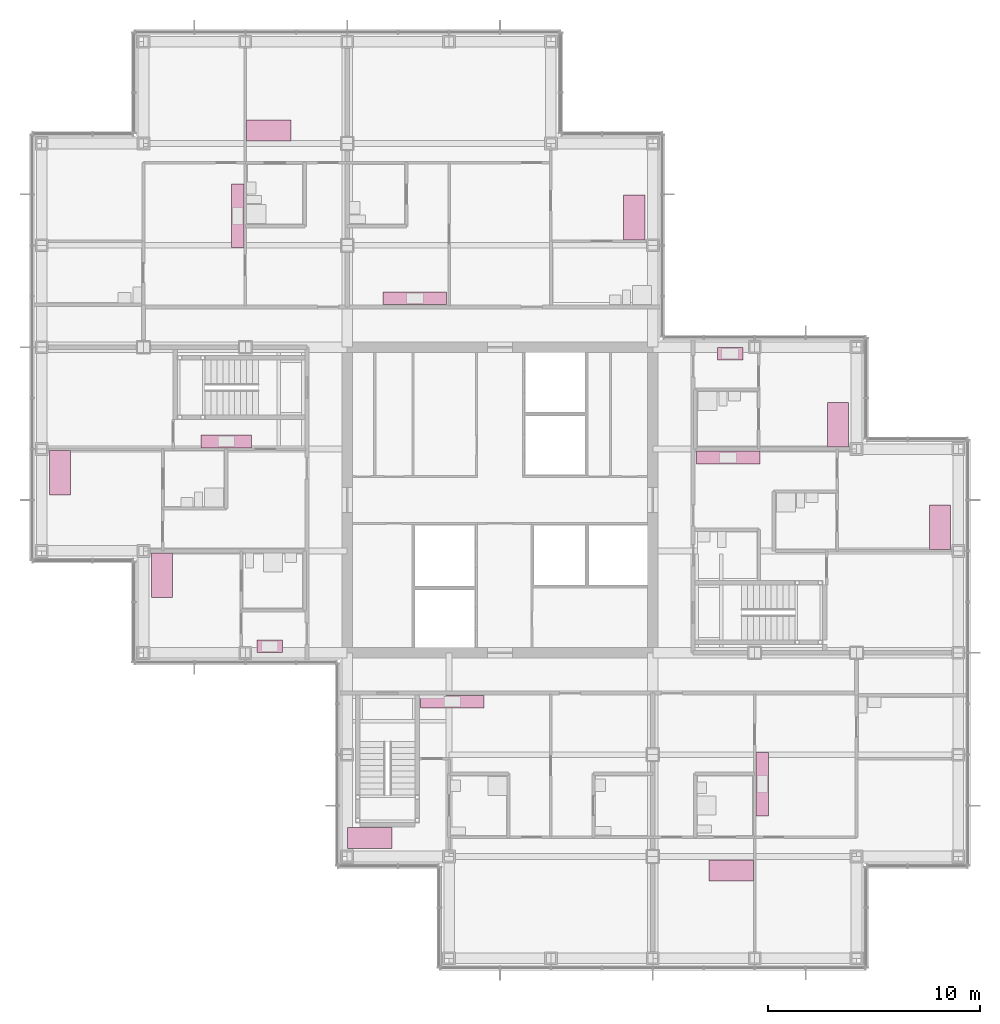
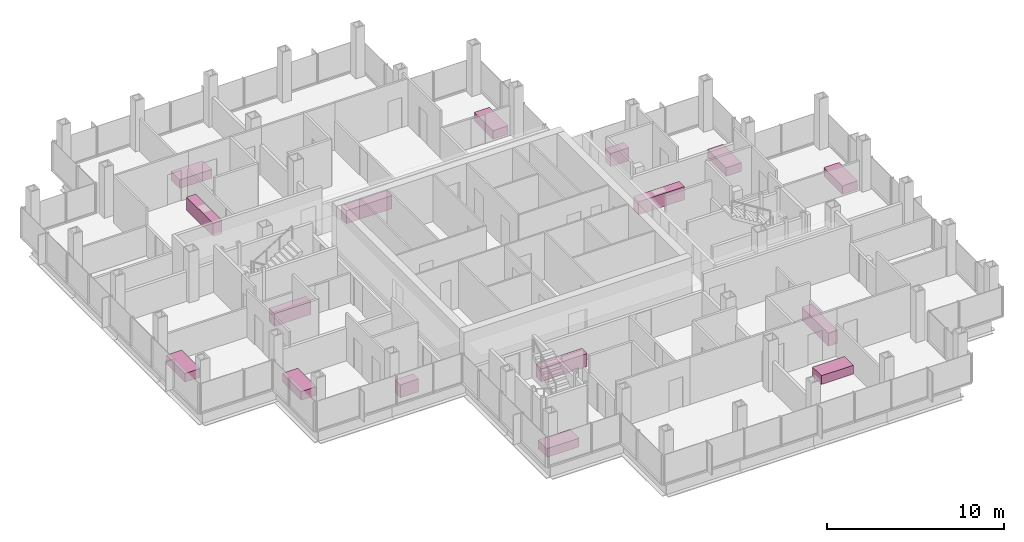
# One storey, part 20 of 20: 16 furniture elements.
"""IFC4 building model written with IfcOpenShell, lengths in metres."""

from ifc_helpers import new_model, si_unit, direction, frame, origin, origin_2d, place, context, subcontext, project, spatial, rectangle, extrude, material, type_object, element, save


model = new_model("IFC4")

# Units and contexts
model_context = context("Model", 3, precision=1e-05, world=origin(), true_north=direction((0.0, 1.0)))
body_context = subcontext(model_context, "Body", "Model", "MODEL_VIEW")
ifc_project = project(units=[si_unit("LENGTHUNIT", "METRE"), si_unit("AREAUNIT", "SQUARE_METRE"), si_unit("VOLUMEUNIT", "CUBIC_METRE"), si_unit("PLANEANGLEUNIT", "RADIAN"), si_unit("MASSUNIT", "GRAM", prefix="KILO")], contexts=[model_context])

# Site, building, storey
site_placement = place(None, origin())
site = spatial("IfcSite", under=ifc_project, at=site_placement, CompositionType="ELEMENT")
building_placement = place(site_placement, origin())
building = spatial("IfcBuilding", under=site, at=building_placement, Name="Kvirike Care Tower", CompositionType="ELEMENT")
storey_placement = place(building_placement, frame((0.0, 0.0, 133.0)))
storey = spatial("IfcBuildingStorey", under=building, at=storey_placement, Name="L36", CompositionType="ELEMENT", Elevation=133.0)

# Furniture
ifc_material_1 = material(Name="Steel frame", Category="steel")
furniture_type_1 = type_object("IfcFurnitureType", Name="CARE BED 1000 x 2100", AssemblyPlace="FACTORY", PredefinedType="BED", material=ifc_material_1)
for number, where, z_axis, x_axis, name in (
    (1, (0.8701171875, 37.2880859375, 0.0), (0.0, 0.0, 1.0), (1.0, 0.0, 0.0), "Care bed L36-004"),
    (2, (5.669921875, 32.447998046875, 0.0), (0.0, 0.0, 1.0), (1.0, 0.0, 0.0), "Care bed L36-008"),
    (3, (10.7119140625, 53.409912109375, 0.0), (0.0, 0.0, 1.0), (0.0, 1.0, 0.0), "Care bed L36-012"),
    (4, (15.451904296875, 20.070068359375, 0.0), (0.0, 0.0, 1.0), (0.0, 1.0, 0.0), "Care bed L36-020"),
    (5, (27.929931640625, 49.31201171875, 0.0), (0.0, 0.0, 1.0), (-1.0, 0.0, 0.0), "Care bed L36-027"),
    (6, (32.488037109375, 18.5400390625, 0.0), (0.0, 0.0, 1.0), (0.0, -1.0, 0.0), "Care bed L36-034"),
    (7, (42.330078125, 34.7119140625, 0.0), (0.0, 0.0, 1.0), (-1.0, 0.0, 0.0), "Care bed L36-043"),
    (8, (37.530029296875, 39.552001953125, 0.0), (0.0, 0.0, 1.0), (-1.0, 0.0, 0.0), "Care bed L36-047"),
):
    element("IfcFurniture", number, at=place(storey_placement, frame(where, z_axis=z_axis, x_axis=x_axis)), inside=storey, type_object=furniture_type_1, Name=name, PredefinedType="BED", context=body_context, shape_type="SweptSolid", body=[
        extrude(rectangle(XDim=1.0, YDim=2.10009765625, at=origin_2d()), origin(), (0.0, 0.0, 1.0), 0.60009765625),
    ])
ifc_material_2 = material(Name="Laminated board", Category="wood")
furniture_type_2 = type_object("IfcFurnitureType", Name="KITCHEN UNIT RUN 600", AssemblyPlace="FACTORY", PredefinedType="USERDEFINED", material=ifc_material_2)
furniture_1_placement = place(storey_placement, frame((8.699951171875, 38.761962890625, 0.0), z_axis=(0.0, 0.0, 1.0), x_axis=(-1.0, 0.0, 0.0)))
element("IfcFurniture", 9, at=furniture_1_placement, inside=storey, type_object=furniture_type_2, Name="Kitchen unit run L36-006", ObjectType="KITCHEN UNIT", PredefinedType="USERDEFINED", context=body_context, shape_type="SweptSolid", body=[
    extrude(rectangle(XDim=2.39990234375, YDim=0.60009765625, at=origin_2d()), origin(), (0.0, 0.0, 1.0), 0.89990234375),
])
furniture_2_placement = place(storey_placement, frame((10.75, 29.10205078125, 0.0), z_axis=(0.0, 0.0, 1.0), x_axis=(-1.0, 0.0, 0.0)))
element("IfcFurniture", 10, at=furniture_2_placement, inside=storey, type_object=furniture_type_2, Name="Kitchen unit run L36-010", ObjectType="KITCHEN UNIT", PredefinedType="USERDEFINED", context=body_context, shape_type="SweptSolid", body=[
    extrude(rectangle(XDim=1.199951171875, YDim=0.60009765625, at=origin_2d()), origin(), (0.0, 0.0, 1.0), 0.89990234375),
])
for number, where, z_axis, x_axis, name in (
    (11, (9.238037109375, 49.389892578125, 0.0), (0.0, 0.0, 1.0), (0.0, -1.0, 0.0), "Kitchen unit run L36-017"),
    (12, (19.35009765625, 26.498046875, 0.0), (0.0, 0.0, 1.0), (1.0, 0.0, 0.0), "Kitchen unit run L36-024"),
    (13, (17.590087890625, 45.501953125, 0.0), (0.0, 0.0, 1.0), (-1.0, 0.0, 0.0), "Kitchen unit run L36-032"),
    (14, (33.9619140625, 22.610107421875, 0.0), (0.0, 0.0, 1.0), (0.0, 1.0, 0.0), "Kitchen unit run L36-039"),
    (15, (32.35009765625, 37.998046875, 0.0), (0.0, 0.0, 1.0), (1.0, 0.0, 0.0), "Kitchen unit run L36-046"),
):
    element("IfcFurniture", number, at=place(storey_placement, frame(where, z_axis=z_axis, x_axis=x_axis)), inside=storey, type_object=furniture_type_2, Name=name, ObjectType="KITCHEN UNIT", PredefinedType="USERDEFINED", context=body_context, shape_type="SweptSolid", body=[
        extrude(rectangle(XDim=3.0, YDim=0.60009765625, at=origin_2d()), origin(), (0.0, 0.0, 1.0), 0.89990234375),
    ])
furniture_3_placement = place(storey_placement, frame((32.449951171875, 42.89794921875, 0.0), z_axis=(0.0, 0.0, 1.0), x_axis=(1.0, 0.0, 0.0)))
element("IfcFurniture", 16, at=furniture_3_placement, inside=storey, type_object=furniture_type_2, Name="Kitchen unit run L36-049", ObjectType="KITCHEN UNIT", PredefinedType="USERDEFINED", context=body_context, shape_type="SweptSolid", body=[
    extrude(rectangle(XDim=1.199951171875, YDim=0.60009765625, at=origin_2d()), origin(), (0.0, 0.0, 1.0), 0.89990234375),
])

save(model, "model.ifc")
